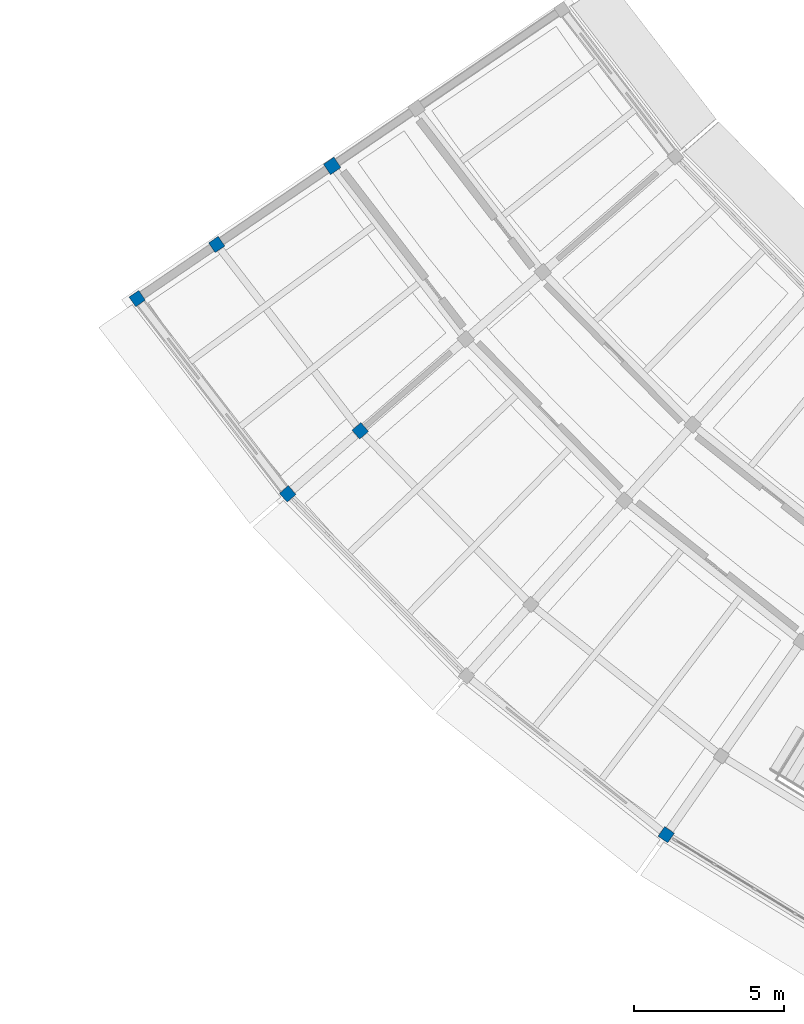
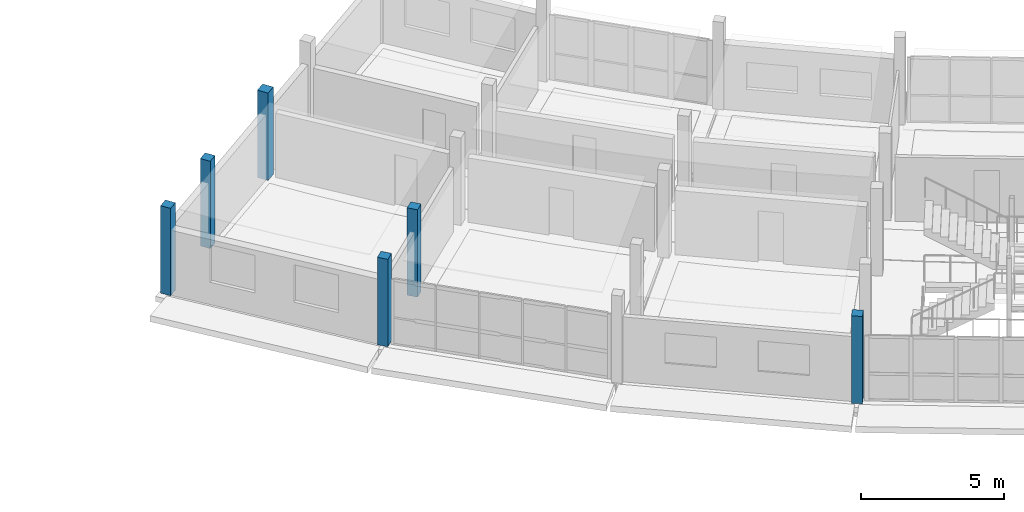
# One storey, part 4 of 77: 6 columns.
"""IFC4 building model written with IfcOpenShell, lengths in metres."""

from ifc_helpers import new_model, si_unit, direction, frame, origin, origin_2d, place, context, subcontext, project, spatial, rectangle, extrude, material, material_profile, profile_set, type_object, element, save


model = new_model("IFC4")

# Units and contexts
model_context = context("Model", 3, precision=1e-05, world=origin(), true_north=direction((0.0, 1.0)))
body_context = subcontext(model_context, "Body", "Model", "MODEL_VIEW")
ifc_project = project(units=[si_unit("LENGTHUNIT", "METRE"), si_unit("AREAUNIT", "SQUARE_METRE"), si_unit("VOLUMEUNIT", "CUBIC_METRE"), si_unit("PLANEANGLEUNIT", "RADIAN"), si_unit("MASSUNIT", "GRAM", prefix="KILO")], contexts=[model_context])

# Site, building, storey
site_placement = place(None, origin())
site = spatial("IfcSite", under=ifc_project, at=site_placement, CompositionType="ELEMENT")
building_placement = place(site_placement, origin())
building = spatial("IfcBuilding", under=site, at=building_placement, Name="Caldaven Crescent School", CompositionType="ELEMENT")
storey_placement = place(building_placement, frame((0.0, 0.0, 4.419921875)))
storey = spatial("IfcBuildingStorey", under=building, at=storey_placement, Name="L01", CompositionType="ELEMENT", Elevation=4.419921875)

# Columns
ifc_material = material(Name="Glulam MLE24h (GL28h)", Category="wood")
ifc_material_profile_1 = material_profile(ifc_material, rectangle(XDim=0.389892578125, YDim=0.389892578125, at=origin_2d()), Name="MLE 390x390")
ifc_profile_set_1 = profile_set([ifc_material_profile_1], Name="Glulam MLE24h (GL28h)")
column_type_1 = type_object("IfcColumnType", Name="COL-GL39", PredefinedType="COLUMN", material=ifc_profile_set_1)
for number, where, z_axis, x_axis, name in (
    (1, (33.14599609375, 58.67236328125, 0.0), (0.0, 0.0, 1.0), (-0.826786154745, -0.562516359159, 0.0), "COL-V4W-L01-00-3"),
    (2, (30.500244140625, 56.8720703125, 0.0), (0.0, 0.0, 1.0), (-0.826786154745, -0.562516359159, 0.0), "COL-V4W-L01-00-4"),
    (3, (37.925048828125, 52.470458984375, 0.0), (0.0, 0.0, 1.0), (-0.754709580223, -0.656059028991, 0.0), "COL-V4W-L01-01-3"),
    (4, (35.510009765625, 50.37109375, 0.0), (0.0, 0.0, 1.0), (-0.754709580223, -0.656059028991, 0.0), "COL-V4W-L01-01-4"),
    (5, (48.107666015625, 39.028076171875, 0.0), (0.0, 0.0, 1.0), (-0.573576436351, -0.819152044289, 0.0), "COL-V4W-L01-03-4"),
):
    element("IfcColumn", number, at=place(storey_placement, frame(where, z_axis=z_axis, x_axis=x_axis)), inside=storey, type_object=column_type_1, Name=name, PredefinedType="COLUMN", context=body_context, shape_type="SweptSolid", body=[
        extrude(rectangle(XDim=0.389892578125, YDim=0.389892578125, at=origin_2d()), origin(), (0.0, 0.0, 1.0), 3.739990234375),
    ])
ifc_material_profile_2 = material_profile(ifc_material, rectangle(XDim=0.419921875, YDim=0.419921875, at=origin_2d()), Name="MLE 420x420")
ifc_profile_set_2 = profile_set([ifc_material_profile_2], Name="Glulam MLE24h (GL28h)")
column_type_2 = type_object("IfcColumnType", Name="COL-GL42", PredefinedType="COLUMN", material=ifc_profile_set_2)
column_placement = place(storey_placement, frame((36.990234375, 61.288330078125, 0.0), z_axis=(0.0, 0.0, 1.0), x_axis=(-0.826786154745, -0.562516359159, 0.0)))
element("IfcColumn", 6, at=column_placement, inside=storey, type_object=column_type_2, Name="COL-V4W-L01-00-2", PredefinedType="COLUMN", context=body_context, shape_type="SweptSolid", body=[
    extrude(rectangle(XDim=0.419921875, YDim=0.419921875, at=origin_2d()), origin(), (0.0, 0.0, 1.0), 3.739990234375),
])

save(model, "model.ifc")
